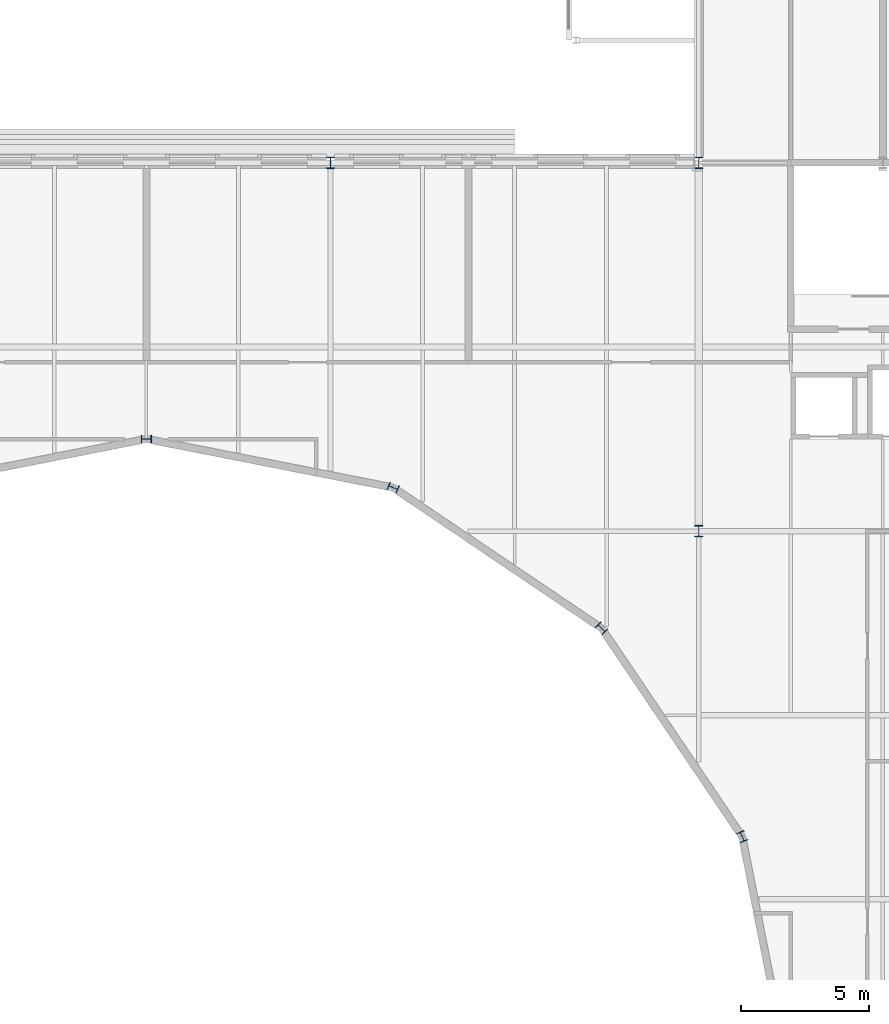
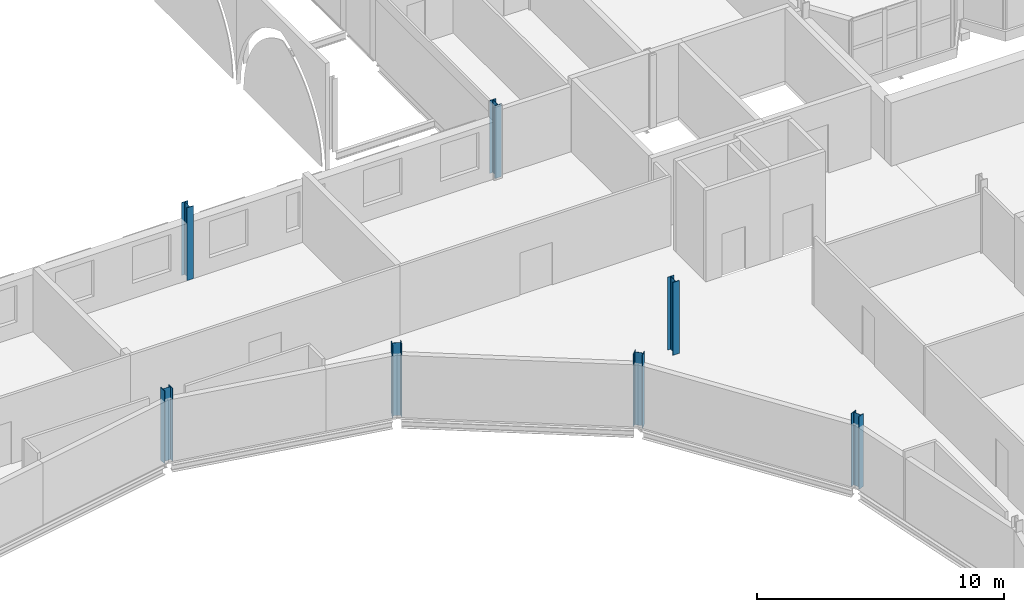
# One storey, part 9 of 142: 7 columns.
"""IFC4 building model written with IfcOpenShell, lengths in metres."""

from ifc_helpers import new_model, si_unit, direction, frame, origin, origin_2d, place, context, subcontext, project, spatial, i_section, extrude, material, material_profile, profile_set, type_object, element, save


model = new_model("IFC4")

# Units and contexts
model_context = context("Model", 3, precision=1e-05, world=origin(), true_north=direction((0.0, 1.0)))
body_context = subcontext(model_context, "Body", "Model", "MODEL_VIEW")
ifc_project = project(units=[si_unit("LENGTHUNIT", "METRE"), si_unit("AREAUNIT", "SQUARE_METRE"), si_unit("VOLUMEUNIT", "CUBIC_METRE"), si_unit("PLANEANGLEUNIT", "RADIAN"), si_unit("MASSUNIT", "GRAM", prefix="KILO")], contexts=[model_context])

# Site, building, storey
site_placement = place(None, origin())
site = spatial("IfcSite", under=ifc_project, at=site_placement, CompositionType="ELEMENT")
building_placement = place(site_placement, origin())
building = spatial("IfcBuilding", under=site, at=building_placement, Name="Kupolbacken Congress Centre", CompositionType="ELEMENT")
storey_placement = place(building_placement, frame((0.0, 0.0, 14.39990234375)))
storey = spatial("IfcBuildingStorey", under=building, at=storey_placement, Name="L04", CompositionType="ELEMENT", Elevation=14.39990234375)

# Columns
ifc_material_1 = material(Name="Steel S355", Category="steel")
ifc_material_profile_1 = material_profile(ifc_material_1, i_section(OverallWidth=0.300048828125, OverallDepth=0.449951171875, WebThickness=0.013916015625, FlangeThickness=0.02587890625, FilletRadius=0.027099609375, at=origin_2d()), Name="HEB 450")
ifc_profile_set_1 = profile_set([ifc_material_profile_1], Name="Steel S355")
column_type_1 = type_object("IfcColumnType", Name="C03 column HEB 450", PredefinedType="COLUMN", material=ifc_profile_set_1)
for number, where, z_axis, x_axis, name in (
    (1, (50.39990234375, 122.39990234375, 0.0), (0.0, 0.0, 1.0), (1.0, 0.0, 0.0), "S/col/C-P-8T/L04"),
    (2, (64.800048828125, 108.0, 0.0), (0.0, 0.0, 1.0), (1.0, 0.0, 0.0), "S/col/C-P-10R/L04"),
    (3, (64.800048828125, 122.39990234375, 0.0), (0.0, 0.0, 1.0), (1.0, 0.0, 0.0), "S/col/C-T-10T/L04"),
):
    element("IfcColumn", number, at=place(storey_placement, frame(where, z_axis=z_axis, x_axis=x_axis)), inside=storey, type_object=column_type_1, Name=name, PredefinedType="COLUMN", context=body_context, shape_type="SweptSolid", body=[
        extrude(i_section(OverallWidth=0.300048828125, OverallDepth=0.449951171875, WebThickness=0.013916015625, FlangeThickness=0.02587890625, FilletRadius=0.027099609375, at=origin_2d()), origin(), (0.0, 0.0, 1.0), 3.60009765625),
    ])
ifc_material_2 = material(Name="Steel S355", Category="steel")
ifc_material_profile_2 = material_profile(ifc_material_2, i_section(OverallWidth=0.300048828125, OverallDepth=0.39990234375, WebThickness=0.013427734375, FlangeThickness=0.02392578125, FilletRadius=0.027099609375, at=origin_2d()), Name="HEB 400")
ifc_profile_set_2 = profile_set([ifc_material_profile_2], Name="Steel S355")
column_type_2 = type_object("IfcColumnType", Name="C08 column HEB 400", PredefinedType="COLUMN", material=ifc_profile_set_2)
for number, where, z_axis, x_axis, name in (
    (4, (66.5, 96.050048828125, 0.0), (0.0, 0.0, 1.0), (0.923896018243, 0.382643629864, 0.0), "S/col/C-D02/L04"),
    (5, (61.0, 104.199951171875, 0.0), (0.0, 0.0, 1.0), (0.707106781187, 0.707106781187, 0.0), "S/col/C-D03/L04"),
    (6, (52.85009765625, 109.699951171875, 0.0), (0.0, 0.0, 1.0), (0.382643629864, 0.923896018243, 0.0), "S/col/C-D04/L04"),
    (7, (43.199951171875, 111.60009765625, 0.0), (0.0, 0.0, 1.0), (0.0, 1.0, 0.0), "S/col/C-D05/L04"),
):
    element("IfcColumn", number, at=place(storey_placement, frame(where, z_axis=z_axis, x_axis=x_axis)), inside=storey, type_object=column_type_2, Name=name, PredefinedType="COLUMN", context=body_context, shape_type="SweptSolid", body=[
        extrude(i_section(OverallWidth=0.300048828125, OverallDepth=0.39990234375, WebThickness=0.013427734375, FlangeThickness=0.02392578125, FilletRadius=0.027099609375, at=origin_2d()), origin(), (0.0, 0.0, 1.0), 3.60009765625),
    ])

save(model, "model.ifc")
